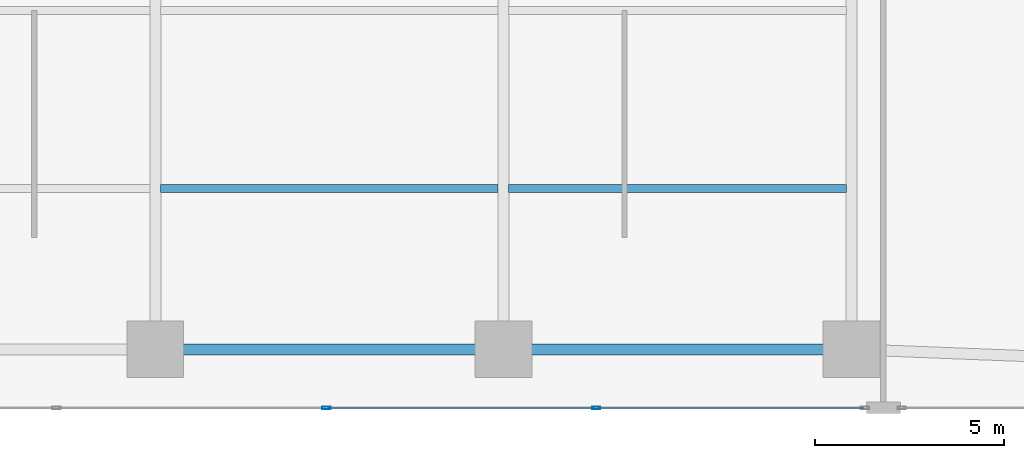
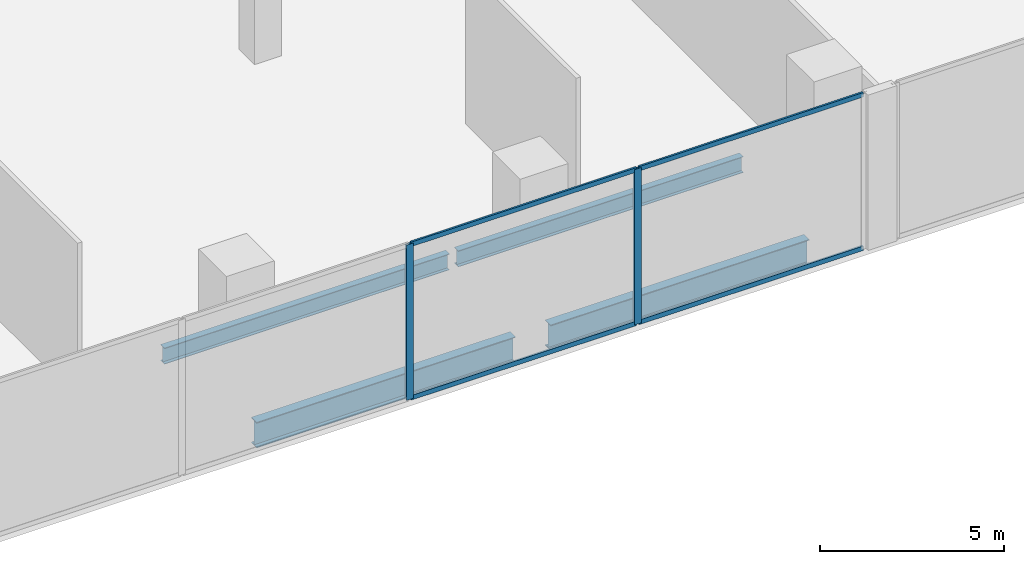
# One storey, part 8 of 30: 6 members, 4 beams, 1 element without a shape of its own.
"""IFC4 building model written with IfcOpenShell, lengths in metres."""

from ifc_helpers import new_model, si_unit, direction, frame, origin, origin_2d, place, context, subcontext, project, spatial, hollow_rectangle, i_section, extrude, material, layer, layer_set, material_profile, profile_set, type_object, element, aggregate, save


model = new_model("IFC4")

# Units and contexts
model_context = context("Model", 3, precision=1e-05, world=origin(), true_north=direction((0.0, 1.0)))
body_context = subcontext(model_context, "Body", "Model", "MODEL_VIEW")
ifc_project = project(units=[si_unit("LENGTHUNIT", "METRE"), si_unit("AREAUNIT", "SQUARE_METRE"), si_unit("VOLUMEUNIT", "CUBIC_METRE"), si_unit("PLANEANGLEUNIT", "RADIAN"), si_unit("MASSUNIT", "GRAM", prefix="KILO")], contexts=[model_context])

# Site, building, storey
site_placement = place(None, origin())
site = spatial("IfcSite", under=ifc_project, at=site_placement, CompositionType="ELEMENT")
building_placement = place(site_placement, origin())
building = spatial("IfcBuilding", under=site, at=building_placement, Name="Zuhayl Quay Hotel", CompositionType="ELEMENT")
storey_placement = place(building_placement, frame((0.0, 0.0, 6.0)))
storey = spatial("IfcBuildingStorey", under=building, at=storey_placement, Name="L01", CompositionType="ELEMENT", Elevation=6.0)

# Beams
ifc_material_1 = material(Name="Steel ASTM A992 Grade 50", Category="steel")
ifc_material_profile_1 = material_profile(ifc_material_1, i_section(OverallWidth=0.208984375, OverallDepth=0.532958984375, WebThickness=0.01025390625, FlangeThickness=0.015625, at=origin_2d()), Name="W21X62")
ifc_profile_set_1 = profile_set([ifc_material_profile_1], Name="Steel ASTM A992 Grade 50")
beam_type_1 = type_object("IfcBeamType", Name="BM_J1_W21X62", PredefinedType="JOIST", material=ifc_profile_set_1)
beam_1_placement = place(storey_placement, frame((-4.4619140625, -18.199951171875, -0.5166015625), z_axis=(1.0, 0.0, 0.0), x_axis=(0.0, 1.0, 0.0)))
element("IfcBeam", 1, at=beam_1_placement, inside=storey, type_object=beam_type_1, Name="L01 Floor Beam J_POD_L01_1_2", PredefinedType="JOIST", context=body_context, shape_type="SweptSolid", body=[
    extrude(i_section(OverallWidth=0.208984375, OverallDepth=0.532958984375, WebThickness=0.01025390625, FlangeThickness=0.015625, at=origin_2d()), origin(), (0.0, 0.0, 1.0), 8.923828125),
])
beam_2_placement = place(storey_placement, frame((4.738037109375, -18.199951171875, -0.5166015625), z_axis=(1.0, 0.0, 0.0), x_axis=(0.0, 1.0, 0.0)))
element("IfcBeam", 2, at=beam_2_placement, inside=storey, type_object=beam_type_1, Name="L01 Floor Beam J_POD_L01_1_3", PredefinedType="JOIST", context=body_context, shape_type="SweptSolid", body=[
    extrude(i_section(OverallWidth=0.208984375, OverallDepth=0.532958984375, WebThickness=0.01025390625, FlangeThickness=0.015625, at=origin_2d()), origin(), (0.0, 0.0, 1.0), 8.924072265625),
])
ifc_material_profile_2 = material_profile(ifc_material_1, i_section(OverallWidth=0.2919921875, OverallDepth=0.845947265625, WebThickness=0.015380859375, FlangeThickness=0.0244140625, at=origin_2d()), Name="W33X141")
ifc_profile_set_2 = profile_set([ifc_material_profile_2], Name="Steel ASTM A992 Grade 50")
beam_type_2 = type_object("IfcBeamType", Name="BM_PG3_W33X141", PredefinedType="BEAM", material=ifc_profile_set_2)
for number, where, z_axis, x_axis, name in (
    (3, (-4.050048828125, -22.449951171875, -0.673095703125), (1.0, 0.0, 0.0), (0.0, 1.0, 0.0), "L01 Floor Beam PG_S_L01_2"),
    (4, (5.14990234375, -22.449951171875, -0.673095703125), (1.0, 0.0, 0.0), (0.0, 1.0, 0.0), "L01 Floor Beam PG_S_L01_3"),
):
    element("IfcBeam", number, at=place(storey_placement, frame(where, z_axis=z_axis, x_axis=x_axis)), inside=storey, type_object=beam_type_2, Name=name, PredefinedType="BEAM", context=body_context, shape_type="SweptSolid", body=[
        extrude(i_section(OverallWidth=0.2919921875, OverallDepth=0.845947265625, WebThickness=0.015380859375, FlangeThickness=0.0244140625, at=origin_2d()), origin(), (0.0, 0.0, 1.0), 8.10009765625),
    ])

# Curtain wall, members
ifc_material_2 = material(Name="Anodised Aluminium 6063-T6", Category="aluminium")
ifc_layer = layer(ifc_material_2, 0.199951171875, Name="Anodised Aluminium 6063-T6", Category="aluminium")
ifc_layer_set = layer_set([ifc_layer], Name="Anodised Aluminium 6063-T6")
curtain_wall_type = type_object("IfcCurtainWallType", Name="CW_SYS_POD", PredefinedType="USERDEFINED", material=ifc_layer_set)
curtain_wall_placement = place(storey_placement, origin())
curtain_wall = element("IfcCurtainWall", 5, at=curtain_wall_placement, inside=storey, type_object=curtain_wall_type, Name="L01 Curtain Wall ENV_L01_E11_CW2", ObjectType="UNITISED CURTAIN WALL", PredefinedType="USERDEFINED")
ifc_material_3 = material(Name="Black-anodised aluminium 6063-T6", Category="aluminium")
ifc_material_profile_3 = material_profile(ifc_material_3, hollow_rectangle(XDim=0.074951171875, YDim=0.219970703125, WallThickness=0.00390625, at=origin_2d()), Name="ALU220X75")
ifc_profile_set_3 = profile_set([ifc_material_profile_3], Name="Black-anodised aluminium 6063-T6")
member_type_1 = type_object("IfcMemberType", Name="MB_CW_MUL_220", PredefinedType="MULLION", material=ifc_profile_set_3)
member_1_placement = place(storey_placement, frame((7.054931640625, -24.0, 0.0), z_axis=(0.0, 0.0, 1.0), x_axis=(0.0, -1.0, 0.0)))
member_1 = element("IfcMember", 6, at=member_1_placement, type_object=member_type_1, Name="CW-POD mullion 2", PredefinedType="MULLION", context=body_context, shape_type="SweptSolid", body=[
    extrude(hollow_rectangle(XDim=0.074951171875, YDim=0.219970703125, WallThickness=0.00390625, at=origin_2d()), origin(), (0.0, 0.0, 1.0), 5.139892578125),
])
member_2_placement = place(storey_placement, frame((-0.080078125, -24.0, 0.0), z_axis=(0.0, 0.0, 1.0), x_axis=(0.0, -1.0, 0.0)))
member_2 = element("IfcMember", 7, at=member_2_placement, type_object=member_type_1, Name="CW-POD mullion 3", PredefinedType="MULLION", context=body_context, shape_type="SweptSolid", body=[
    extrude(hollow_rectangle(XDim=0.074951171875, YDim=0.219970703125, WallThickness=0.00390625, at=origin_2d()), origin(), (0.0, 0.0, 1.0), 5.139892578125),
])
ifc_material_profile_4 = material_profile(ifc_material_3, hollow_rectangle(XDim=0.06005859375, YDim=0.14990234375, WallThickness=0.00341796875, at=origin_2d()), Name="ALU150X60")
ifc_profile_set_4 = profile_set([ifc_material_profile_4], Name="Black-anodised aluminium 6063-T6")
member_type_2 = type_object("IfcMemberType", Name="MB_CW_TRN_150", PredefinedType="USERDEFINED", material=ifc_profile_set_4)
member_3_placement = place(storey_placement, frame((14.114990234375, -24.0, 0.030029296875), z_axis=(-1.0, 0.0, 0.0), x_axis=(0.0, -1.0, 0.0)))
member_3 = element("IfcMember", 8, at=member_3_placement, type_object=member_type_2, Name="CW-POD transom 1.1", ObjectType="TRANSOM", PredefinedType="USERDEFINED", context=body_context, shape_type="SweptSolid", body=[
    extrude(hollow_rectangle(XDim=0.06005859375, YDim=0.14990234375, WallThickness=0.00341796875, at=origin_2d()), origin(), (0.0, 0.0, 1.0), 7.0224609375),
])
member_4_placement = place(storey_placement, frame((14.114990234375, -24.0, 5.110107421875), z_axis=(-1.0, 0.0, 0.0), x_axis=(0.0, -1.0, 0.0)))
member_4 = element("IfcMember", 9, at=member_4_placement, type_object=member_type_2, Name="CW-POD transom 1.2", ObjectType="TRANSOM", PredefinedType="USERDEFINED", context=body_context, shape_type="SweptSolid", body=[
    extrude(hollow_rectangle(XDim=0.06005859375, YDim=0.14990234375, WallThickness=0.00341796875, at=origin_2d()), origin(), (0.0, 0.0, 1.0), 7.0224609375),
])
member_5_placement = place(storey_placement, frame((7.017578125, -24.0, 0.030029296875), z_axis=(-1.0, 0.0, 0.0), x_axis=(0.0, -1.0, 0.0)))
member_5 = element("IfcMember", 10, at=member_5_placement, type_object=member_type_2, Name="CW-POD transom 2.1", ObjectType="TRANSOM", PredefinedType="USERDEFINED", context=body_context, shape_type="SweptSolid", body=[
    extrude(hollow_rectangle(XDim=0.06005859375, YDim=0.14990234375, WallThickness=0.00341796875, at=origin_2d()), origin(), (0.0, 0.0, 1.0), 7.06005859375),
])
member_6_placement = place(storey_placement, frame((7.017578125, -24.0, 5.110107421875), z_axis=(-1.0, 0.0, 0.0), x_axis=(0.0, -1.0, 0.0)))
member_6 = element("IfcMember", 11, at=member_6_placement, type_object=member_type_2, Name="CW-POD transom 2.2", ObjectType="TRANSOM", PredefinedType="USERDEFINED", context=body_context, shape_type="SweptSolid", body=[
    extrude(hollow_rectangle(XDim=0.06005859375, YDim=0.14990234375, WallThickness=0.00341796875, at=origin_2d()), origin(), (0.0, 0.0, 1.0), 7.06005859375),
])
aggregate(curtain_wall, [member_1, member_2, member_3, member_4, member_5, member_6])

save(model, "model.ifc")
